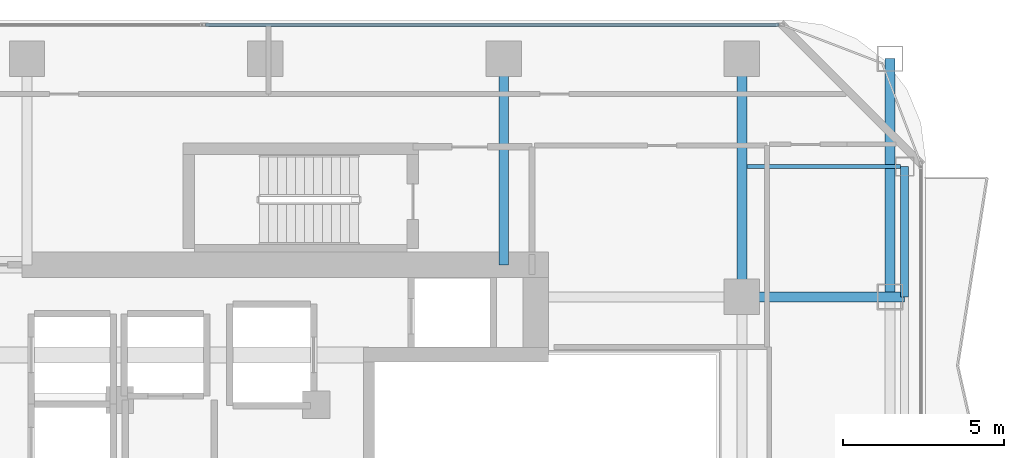
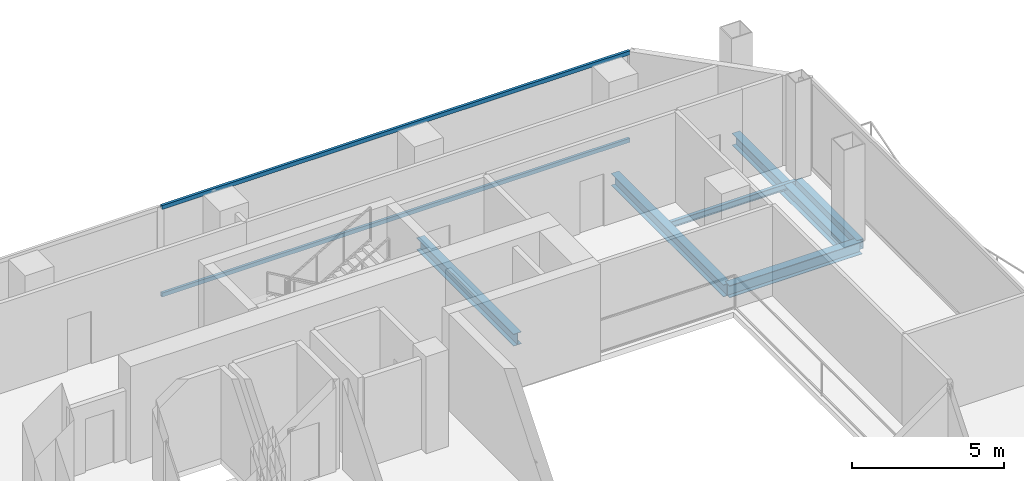
# One storey, part 14 of 23: 6 beams, 2 members, 1 element without a shape of its own.
"""IFC4 building model written with IfcOpenShell, lengths in metres."""

from ifc_helpers import new_model, si_unit, direction, frame, origin, origin_2d, place, context, subcontext, project, spatial, hollow_rectangle, i_section, extrude, material, layer, layer_set, material_profile, profile_set, type_object, element, aggregate, save


model = new_model("IFC4")

# Units and contexts
model_context = context("Model", 3, precision=1e-05, world=origin(), true_north=direction((0.0, 1.0)))
body_context = subcontext(model_context, "Body", "Model", "MODEL_VIEW")
ifc_project = project(units=[si_unit("LENGTHUNIT", "METRE"), si_unit("AREAUNIT", "SQUARE_METRE"), si_unit("VOLUMEUNIT", "CUBIC_METRE"), si_unit("PLANEANGLEUNIT", "RADIAN"), si_unit("MASSUNIT", "GRAM", prefix="KILO")], contexts=[model_context])

# Site, building, storey
site_placement = place(None, origin())
site = spatial("IfcSite", under=ifc_project, at=site_placement, CompositionType="ELEMENT")
building_placement = place(site_placement, origin())
building = spatial("IfcBuilding", under=site, at=building_placement, Name="Khorvyn Point Tower", CompositionType="ELEMENT")
storey_placement = place(building_placement, frame((0.0, 0.0, 207.0)))
storey = spatial("IfcBuildingStorey", under=building, at=storey_placement, Name="L51", CompositionType="ELEMENT", Elevation=207.0)

# Curtain wall, members
ifc_material_1 = material(Name="Anodised aluminium 6063-T6 and laminated Low-E glass", Category="aluminium")
ifc_layer = layer(ifc_material_1, 0.18994140625)
ifc_layer_set = layer_set([ifc_layer], Name="Stick-Built Acoustic Curtain Wall CW-SYS-03")
curtain_wall_type = type_object("IfcCurtainWallType", Name="Stick-Built Acoustic Curtain Wall CW-SYS-03", PredefinedType="NOTDEFINED", material=ifc_layer_set)
curtain_wall_placement = place(storey_placement, origin())
curtain_wall = element("IfcCurtainWall", 1, at=curtain_wall_placement, inside=storey, type_object=curtain_wall_type, Name="Curtain Wall", PredefinedType="NOTDEFINED")
ifc_material_2 = material(Name="Anodised aluminium 6063-T6", Category="aluminium")
ifc_material_profile_1 = material_profile(ifc_material_2, hollow_rectangle(XDim=0.10009765625, YDim=0.159912109375, WallThickness=0.00439453125, at=origin_2d()))
ifc_profile_set_1 = profile_set([ifc_material_profile_1], Name="Anodised aluminium 6063-T6 ALU-TRN-100x160")
member_type = type_object("IfcMemberType", Name="Anodised Aluminium 6063-T6 Transom ALU-TRN-100x160", PredefinedType="USERDEFINED", material=ifc_profile_set_1)
member_1_placement = place(storey_placement, frame((-1.85009765625, 15.85009765625, 0.050048828125), z_axis=(1.0, 0.0, 0.0), x_axis=(0.0, 1.0, 0.0)))
member_1 = element("IfcMember", 2, at=member_1_placement, type_object=member_type, Name="Transom", ObjectType="TRANSOM", PredefinedType="USERDEFINED", context=body_context, shape_type="SweptSolid", body=[
    extrude(hollow_rectangle(XDim=0.10009765625, YDim=0.159912109375, WallThickness=0.00439453125, at=origin_2d()), origin(), (0.0, 0.0, 1.0), 17.800048828125),
])
member_2_placement = place(storey_placement, frame((-1.85009765625, 15.85009765625, 3.570068359375), z_axis=(1.0, 0.0, 0.0), x_axis=(0.0, 1.0, 0.0)))
member_2 = element("IfcMember", 3, at=member_2_placement, type_object=member_type, Name="Transom", ObjectType="TRANSOM", PredefinedType="USERDEFINED", context=body_context, shape_type="SweptSolid", body=[
    extrude(hollow_rectangle(XDim=0.10009765625, YDim=0.159912109375, WallThickness=0.00439453125, at=origin_2d()), origin(), (0.0, 0.0, 1.0), 17.800048828125),
])
aggregate(curtain_wall, [member_1, member_2])

# Beams
ifc_material_3 = material(Name="Steel S355", Category="steel")
ifc_material_profile_2 = material_profile(ifc_material_3, i_section(OverallWidth=0.125, OverallDepth=0.25, WebThickness=0.006103515625, FlangeThickness=0.009033203125, at=origin_2d()))
ifc_profile_set_2 = profile_set([ifc_material_profile_2], Name="Steel S355 H250x125x6x9")
beam_type_1 = type_object("IfcBeamType", Name="Steel S355 Joist H250x125x6x9", PredefinedType="JOIST", material=ifc_profile_set_2)
beam_1_placement = place(storey_placement, frame((14.949951171875, 11.449951171875, -0.344970703125), z_axis=(1.0, 0.0, 0.0), x_axis=(0.0, 1.0, 0.0)))
element("IfcBeam", 4, at=beam_1_placement, inside=storey, type_object=beam_type_1, Name="Beam", PredefinedType="JOIST", context=body_context, shape_type="SweptSolid", body=[
    extrude(i_section(OverallWidth=0.125, OverallDepth=0.25, WebThickness=0.006103515625, FlangeThickness=0.009033203125, at=origin_2d()), origin(), (0.0, 0.0, 1.0), 4.775146484375),
])
ifc_material_profile_3 = material_profile(ifc_material_3, i_section(OverallWidth=0.300048828125, OverallDepth=0.488037109375, WebThickness=0.010986328125, FlangeThickness=0.01806640625, at=origin_2d()))
ifc_profile_set_3 = profile_set([ifc_material_profile_3], Name="Steel S355 H488x300x11x18")
beam_type_2 = type_object("IfcBeamType", Name="Steel S355 Spandrel H488x300x11x18", PredefinedType="SPANDREL", material=ifc_profile_set_3)
beam_2_placement = place(storey_placement, frame((14.800048828125, 7.39990234375, -0.464111328125), z_axis=(1.0, 0.0, 0.0), x_axis=(0.0, 1.0, 0.0)))
element("IfcBeam", 5, at=beam_2_placement, inside=storey, type_object=beam_type_2, Name="Beam", PredefinedType="SPANDREL", context=body_context, shape_type="SweptSolid", body=[
    extrude(i_section(OverallWidth=0.300048828125, OverallDepth=0.488037109375, WebThickness=0.010986328125, FlangeThickness=0.01806640625, at=origin_2d()), origin(), (0.0, 0.0, 1.0), 5.050048828125),
])
beam_3_placement = place(storey_placement, frame((14.800048828125, 7.39990234375, -0.464111328125), z_axis=(0.0, 1.0, 0.0), x_axis=(-1.0, 0.0, 0.0)))
element("IfcBeam", 6, at=beam_3_placement, inside=storey, type_object=beam_type_2, Name="Beam", PredefinedType="SPANDREL", context=body_context, shape_type="SweptSolid", body=[
    extrude(i_section(OverallWidth=0.300048828125, OverallDepth=0.488037109375, WebThickness=0.010986328125, FlangeThickness=0.01806640625, at=origin_2d()), origin(), (0.0, 0.0, 1.0), 7.400146484375),
])
beam_4_placement = place(storey_placement, frame((7.39990234375, 8.39990234375, -0.464111328125), z_axis=(0.0, 1.0, 0.0), x_axis=(-1.0, 0.0, 0.0)))
element("IfcBeam", 7, at=beam_4_placement, inside=storey, type_object=beam_type_2, Name="Beam", PredefinedType="SPANDREL", context=body_context, shape_type="SweptSolid", body=[
    extrude(i_section(OverallWidth=0.300048828125, OverallDepth=0.488037109375, WebThickness=0.010986328125, FlangeThickness=0.01806640625, at=origin_2d()), origin(), (0.0, 0.0, 1.0), 6.400146484375),
])
beam_5_placement = place(storey_placement, frame((19.39990234375, 7.39990234375, -0.464111328125), z_axis=(0.0, 1.0, 0.0), x_axis=(-1.0, 0.0, 0.0)))
element("IfcBeam", 8, at=beam_5_placement, inside=storey, type_object=beam_type_2, Name="Beam", PredefinedType="SPANDREL", context=body_context, shape_type="SweptSolid", body=[
    extrude(i_section(OverallWidth=0.300048828125, OverallDepth=0.488037109375, WebThickness=0.010986328125, FlangeThickness=0.01806640625, at=origin_2d()), origin(), (0.0, 0.0, 1.0), 7.400146484375),
])
ifc_material_profile_4 = material_profile(ifc_material_3, hollow_rectangle(XDim=0.25, YDim=0.39990234375, WallThickness=0.01611328125, at=origin_2d()))
ifc_profile_set_4 = profile_set([ifc_material_profile_4], Name="Steel S355 RHS400x250x16")
beam_type_3 = type_object("IfcBeamType", Name="Steel S355 Spandrel RHS400x250x16", PredefinedType="SPANDREL", material=ifc_profile_set_4)
beam_6_placement = place(storey_placement, frame((19.85009765625, 7.39990234375, -0.419921875), z_axis=(0.0, 1.0, 0.0), x_axis=(-1.0, 0.0, 0.0)))
element("IfcBeam", 9, at=beam_6_placement, inside=storey, type_object=beam_type_3, Name="Beam", PredefinedType="SPANDREL", context=body_context, shape_type="SweptSolid", body=[
    extrude(hollow_rectangle(XDim=0.25, YDim=0.39990234375, WallThickness=0.01611328125, at=origin_2d()), origin(), (0.0, 0.0, 1.0), 4.050048828125),
])

save(model, "model.ifc")
